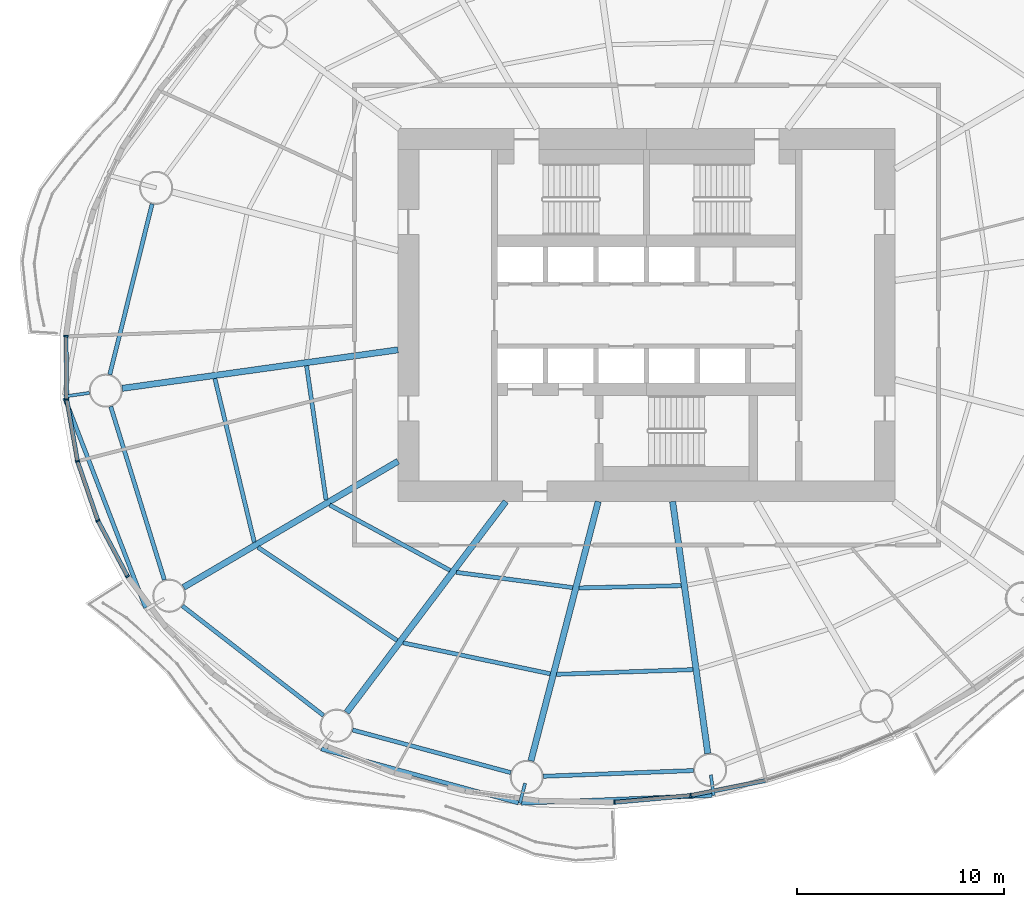
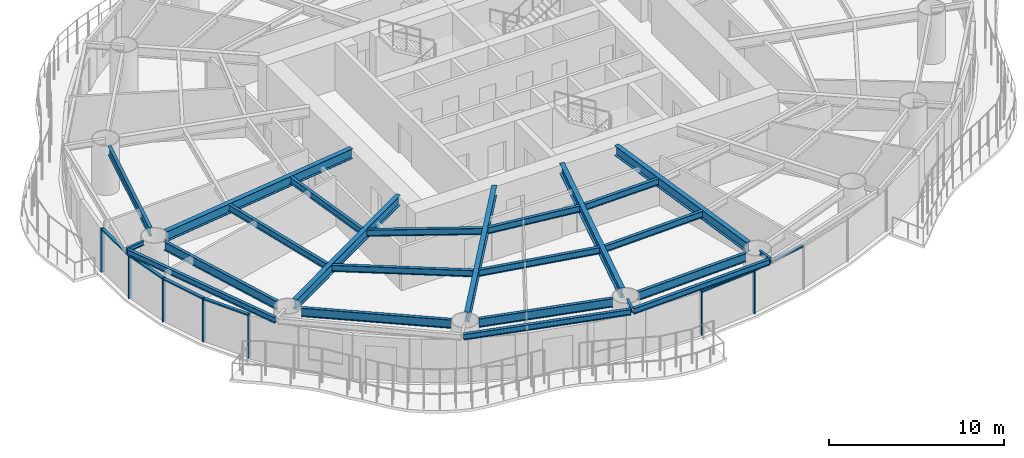
# One storey, part 2 of 17: 24 beams, 13 members, 6 elements without a shape of their own.
"""IFC4 building model written with IfcOpenShell, lengths in metres."""

from ifc_helpers import new_model, si_unit, direction, frame, origin, origin_2d, place, context, subcontext, project, spatial, rectangle, i_section, extrude, material, material_profile, profile_set, type_object, element, aggregate, save


model = new_model("IFC4")

# Units and contexts
model_context = context("Model", 3, precision=1e-05, world=origin(), true_north=direction((0.0, 1.0)))
body_context = subcontext(model_context, "Body", "Model", "MODEL_VIEW")
ifc_project = project(units=[si_unit("LENGTHUNIT", "METRE"), si_unit("AREAUNIT", "SQUARE_METRE"), si_unit("VOLUMEUNIT", "CUBIC_METRE"), si_unit("PLANEANGLEUNIT", "RADIAN"), si_unit("MASSUNIT", "GRAM", prefix="KILO")], contexts=[model_context])

# Site, building, storey
site_placement = place(None, origin())
site = spatial("IfcSite", under=ifc_project, at=site_placement, CompositionType="ELEMENT")
building_placement = place(site_placement, origin())
building = spatial("IfcBuilding", under=site, at=building_placement, Name="Vermilion Reach Broadcast Tower", CompositionType="ELEMENT")
storey_placement = place(building_placement, frame((0.0, 0.0, 92.199951171875)))
storey = spatial("IfcBuildingStorey", under=building, at=storey_placement, Name="L20", CompositionType="ELEMENT", Elevation=92.199951171875)

# Beams
ifc_material_1 = material(Name="Steel S355J2", Category="steel")
ifc_material_profile_1 = material_profile(ifc_material_1, i_section(OverallWidth=0.199951171875, OverallDepth=0.39990234375, WebThickness=0.008056640625, FlangeThickness=0.012939453125, at=origin_2d()), Name="S355J2 HN 400x200x8x13")
ifc_profile_set_1 = profile_set([ifc_material_profile_1], Name="Steel S355J2")
beam_type_1 = type_object("IfcBeamType", Name="EB2 HN 400x200x8x13", PredefinedType="BEAM", material=ifc_profile_set_1)
beam_1_placement = place(storey_placement, frame((-34.091552734375, -3.998779296875, 3.25), z_axis=(0.359604215005, -0.933104929014, 0.0), x_axis=(0.933104929014, 0.359604215005, 0.0)))
element("IfcBeam", 1, at=beam_1_placement, inside=storey, type_object=beam_type_1, Name="Edge beam EB2-08", PredefinedType="BEAM", context=body_context, shape_type="SweptSolid", body=[
    extrude(i_section(OverallWidth=0.199951171875, OverallDepth=0.39990234375, WebThickness=0.008056640625, FlangeThickness=0.012939453125, at=origin_2d()), origin(), (0.0, 0.0, 1.0), 10.859130859375),
])
beam_2_placement = place(storey_placement, frame((-21.71240234375, -20.937744140625, 3.25), z_axis=(0.964459063659, -0.264232311662, 0.0), x_axis=(0.264232311662, 0.964459063659, 0.0)))
element("IfcBeam", 2, at=beam_2_placement, inside=storey, type_object=beam_type_1, Name="Edge beam EB2-10", PredefinedType="BEAM", context=body_context, shape_type="SweptSolid", body=[
    extrude(i_section(OverallWidth=0.199951171875, OverallDepth=0.39990234375, WebThickness=0.008056640625, FlangeThickness=0.012939453125, at=origin_2d()), origin(), (0.0, 0.0, 1.0), 9.874267578125),
])
beam_3_placement = place(storey_placement, frame((-12.038330078125, -23.5634765625, 3.25), z_axis=(0.999162863733, 0.040909311117, 0.0), x_axis=(-0.040909311117, 0.999162863733, 0.0)))
element("IfcBeam", 3, at=beam_3_placement, inside=storey, type_object=beam_type_1, Name="Edge beam EB2-11", PredefinedType="BEAM", context=body_context, shape_type="SweptSolid", body=[
    extrude(i_section(OverallWidth=0.199951171875, OverallDepth=0.39990234375, WebThickness=0.008056640625, FlangeThickness=0.012939453125, at=origin_2d()), origin(), (0.0, 0.0, 1.0), 9.20849609375),
])
ifc_material_2 = material(Name="Steel S355J2", Category="steel")
ifc_material_profile_2 = material_profile(ifc_material_2, i_section(OverallWidth=0.300048828125, OverallDepth=0.699951171875, WebThickness=0.012939453125, FlangeThickness=0.02392578125, at=origin_2d()), Name="S355J2 HN 700x300x13x24")
ifc_profile_set_2 = profile_set([ifc_material_profile_2], Name="Steel S355J2")
beam_type_2 = type_object("IfcBeamType", Name="G2 HN 700x300x13x24", PredefinedType="BEAM", material=ifc_profile_set_2)
beam_4_placement = place(storey_placement, frame((-18.0, -1.67578125, 3.10009765625), z_axis=(-0.990389457618, -0.138306623986, 0.0), x_axis=(0.138306623986, -0.990389457618, 0.0)))
element("IfcBeam", 4, at=beam_4_placement, inside=storey, type_object=beam_type_2, Name="Girder G2-08", PredefinedType="BEAM", context=body_context, shape_type="SweptSolid", body=[
    extrude(i_section(OverallWidth=0.300048828125, OverallDepth=0.699951171875, WebThickness=0.012939453125, FlangeThickness=0.02392578125, at=origin_2d()), origin(), (0.0, 0.0, 1.0), 13.445556640625),
])
beam_5_placement = place(storey_placement, frame((-18.0, -7.054443359375, 3.10009765625), z_axis=(-0.862071616631, -0.506786471603, 0.0), x_axis=(0.506786471603, -0.862071616631, 0.0)))
element("IfcBeam", 5, at=beam_5_placement, inside=storey, type_object=beam_type_2, Name="Girder G2-09", PredefinedType="BEAM", context=body_context, shape_type="SweptSolid", body=[
    extrude(i_section(OverallWidth=0.300048828125, OverallDepth=0.699951171875, WebThickness=0.012939453125, FlangeThickness=0.02392578125, at=origin_2d()), origin(), (0.0, 0.0, 1.0), 12.01025390625),
])
beam_6_placement = place(storey_placement, frame((-12.794189453125, -9.0, 3.10009765625), z_axis=(-0.602519842365, -0.798103902733, 0.0), x_axis=(0.798103902733, -0.602519842365, 0.0)))
element("IfcBeam", 6, at=beam_6_placement, inside=storey, type_object=beam_type_2, Name="Girder G2-10", PredefinedType="BEAM", context=body_context, shape_type="SweptSolid", body=[
    extrude(i_section(OverallWidth=0.300048828125, OverallDepth=0.699951171875, WebThickness=0.012939453125, FlangeThickness=0.02392578125, at=origin_2d()), origin(), (0.0, 0.0, 1.0), 12.758544921875),
])
beam_7_placement = place(storey_placement, frame((-8.3359375, -9.0, 3.10009765625), z_axis=(-0.25121695316, -0.967930804575, 0.0), x_axis=(0.967930804575, -0.25121695316, 0.0)))
element("IfcBeam", 7, at=beam_7_placement, inside=storey, type_object=beam_type_2, Name="Girder G2-11", PredefinedType="BEAM", context=body_context, shape_type="SweptSolid", body=[
    extrude(i_section(OverallWidth=0.300048828125, OverallDepth=0.699951171875, WebThickness=0.012939453125, FlangeThickness=0.02392578125, at=origin_2d()), origin(), (0.0, 0.0, 1.0), 12.93505859375),
])
beam_8_placement = place(storey_placement, frame((-4.7431640625, -9.0, 3.10009765625), z_axis=(0.138317561234, -0.990387930184, 0.0), x_axis=(0.990387930184, 0.138317561234, 0.0)))
element("IfcBeam", 8, at=beam_8_placement, inside=storey, type_object=beam_type_2, Name="Girder G2-12", PredefinedType="BEAM", context=body_context, shape_type="SweptSolid", body=[
    extrude(i_section(OverallWidth=0.300048828125, OverallDepth=0.699951171875, WebThickness=0.012939453125, FlangeThickness=0.02392578125, at=origin_2d()), origin(), (0.0, 0.0, 1.0), 12.281494140625),
])
ifc_material_3 = material(Name="Steel S355J2", Category="steel")
ifc_material_profile_3 = material_profile(ifc_material_3, i_section(OverallWidth=0.14990234375, OverallDepth=0.300048828125, WebThickness=0.006591796875, FlangeThickness=0.009033203125, at=origin_2d()), Name="S355J2 HN 300x150x6.5x9")
ifc_profile_set_3 = profile_set([ifc_material_profile_3], Name="Steel S355J2")
beam_type_3 = type_object("IfcBeamType", Name="GS2 HN 300x150x6.5x9", PredefinedType="BEAM", material=ifc_profile_set_3)
beam_9_placement = place(storey_placement, frame((-32.901123046875, -3.7568359375, 3.300048828125), z_axis=(-0.990385301248, -0.138336383761, 0.0), x_axis=(0.138336383761, -0.990385301248, 0.0)))
element("IfcBeam", 9, at=beam_9_placement, inside=storey, type_object=beam_type_3, Name="Cantilever stub GS2-08", PredefinedType="BEAM", context=body_context, shape_type="SweptSolid", body=[
    extrude(i_section(OverallWidth=0.14990234375, OverallDepth=0.300048828125, WebThickness=0.006591796875, FlangeThickness=0.009033203125, at=origin_2d()), origin(), (0.0, 0.0, 1.0), 1.22998046875),
])
beam_10_placement = place(storey_placement, frame((-11.865478515625, -22.598876953125, 3.300048828125), z_axis=(-0.251258738033, -0.967919958758, 0.0), x_axis=(0.967919958758, -0.251258738033, 0.0)))
element("IfcBeam", 10, at=beam_10_placement, inside=storey, type_object=beam_type_3, Name="Cantilever stub GS2-11", PredefinedType="BEAM", context=body_context, shape_type="SweptSolid", body=[
    extrude(i_section(OverallWidth=0.14990234375, OverallDepth=0.300048828125, WebThickness=0.006591796875, FlangeThickness=0.009033203125, at=origin_2d()), origin(), (0.0, 0.0, 1.0), 0.999755859375),
])
beam_11_placement = place(storey_placement, frame((-2.900634765625, -22.193115234375, 3.300048828125), z_axis=(0.13817375644, -0.990408003315, 0.0), x_axis=(0.990408003315, 0.13817375644, 0.0)))
element("IfcBeam", 11, at=beam_11_placement, inside=storey, type_object=beam_type_3, Name="Cantilever stub GS2-12", PredefinedType="BEAM", context=body_context, shape_type="SweptSolid", body=[
    extrude(i_section(OverallWidth=0.14990234375, OverallDepth=0.300048828125, WebThickness=0.006591796875, FlangeThickness=0.009033203125, at=origin_2d()), origin(), (0.0, 0.0, 1.0), 1.0),
])
ifc_material_4 = material(Name="Steel S355J2", Category="steel")
ifc_material_profile_4 = material_profile(ifc_material_4, i_section(OverallWidth=0.199951171875, OverallDepth=0.60009765625, WebThickness=0.010986328125, FlangeThickness=0.01708984375, at=origin_2d()), Name="S355J2 HN 600x200x11x17")
ifc_profile_set_4 = profile_set([ifc_material_profile_4], Name="Steel S355J2")
beam_type_4 = type_object("IfcBeamType", Name="RB2 HN 600x200x11x17", PredefinedType="BEAM", material=ifc_profile_set_4)
beam_12_placement = place(storey_placement, frame((-29.871337890625, 5.369384765625, 3.150146484375), z_axis=(-0.240863809798, -0.970558924089, 0.0), x_axis=(0.970558924089, -0.240863809798, 0.0)))
element("IfcBeam", 12, at=beam_12_placement, inside=storey, type_object=beam_type_4, Name="Ring beam RB2-07", PredefinedType="BEAM", context=body_context, shape_type="SweptSolid", body=[
    extrude(i_section(OverallWidth=0.199951171875, OverallDepth=0.60009765625, WebThickness=0.010986328125, FlangeThickness=0.01708984375, at=origin_2d()), origin(), (0.0, 0.0, 1.0), 8.489013671875),
])
beam_13_placement = place(storey_placement, frame((-31.872314453125, -4.410400390625, 3.150146484375), z_axis=(0.295788439635, -0.95525347368, 0.0), x_axis=(0.95525347368, 0.295788439635, 0.0)))
element("IfcBeam", 13, at=beam_13_placement, inside=storey, type_object=beam_type_4, Name="Ring beam RB2-08", PredefinedType="BEAM", context=body_context, shape_type="SweptSolid", body=[
    extrude(i_section(OverallWidth=0.199951171875, OverallDepth=0.60009765625, WebThickness=0.010986328125, FlangeThickness=0.01708984375, at=origin_2d()), origin(), (0.0, 0.0, 1.0), 8.763916015625),
])
beam_14_placement = place(storey_placement, frame((-28.41162109375, -14.037109375, 3.150146484375), z_axis=(0.789825712432, -0.613331349257, 0.0), x_axis=(0.613331349257, 0.789825712432, 0.0)))
element("IfcBeam", 14, at=beam_14_placement, inside=storey, type_object=beam_type_4, Name="Ring beam RB2-09", PredefinedType="BEAM", context=body_context, shape_type="SweptSolid", body=[
    extrude(i_section(OverallWidth=0.199951171875, OverallDepth=0.60009765625, WebThickness=0.010986328125, FlangeThickness=0.01708984375, at=origin_2d()), origin(), (0.0, 0.0, 1.0), 8.63037109375),
])
beam_15_placement = place(storey_placement, frame((-20.19091796875, -20.029296875, 3.150146484375), z_axis=(0.965541463834, -0.260249268234, 0.0), x_axis=(0.260249268234, 0.965541463834, 0.0)))
element("IfcBeam", 15, at=beam_15_placement, inside=storey, type_object=beam_type_4, Name="Ring beam RB2-10", PredefinedType="BEAM", context=body_context, shape_type="SweptSolid", body=[
    extrude(i_section(OverallWidth=0.199951171875, OverallDepth=0.60009765625, WebThickness=0.010986328125, FlangeThickness=0.01708984375, at=origin_2d()), origin(), (0.0, 0.0, 1.0), 7.904541015625),
])
beam_16_placement = place(storey_placement, frame((-10.987060546875, -22.263916015625, 3.150146484375), z_axis=(0.999268558327, 0.038240663418, 0.0), x_axis=(-0.038240663418, 0.999268558327, 0.0)))
element("IfcBeam", 16, at=beam_16_placement, inside=storey, type_object=beam_type_4, Name="Ring beam RB2-11", PredefinedType="BEAM", context=body_context, shape_type="SweptSolid", body=[
    extrude(i_section(OverallWidth=0.199951171875, OverallDepth=0.60009765625, WebThickness=0.010986328125, FlangeThickness=0.01708984375, at=origin_2d()), origin(), (0.0, 0.0, 1.0), 7.259033203125),
])
ifc_material_5 = material(Name="Steel S355J2", Category="steel")
ifc_material_profile_5 = material_profile(ifc_material_5, i_section(OverallWidth=0.199951171875, OverallDepth=0.449951171875, WebThickness=0.009033203125, FlangeThickness=0.013916015625, at=origin_2d()), Name="S355J2 HN 450x200x9x14")
ifc_profile_set_5 = profile_set([ifc_material_profile_5], Name="Steel S355J2")
beam_type_5 = type_object("IfcBeamType", Name="SB2 HN 450x200x9x14", PredefinedType="BEAM", material=ifc_profile_set_5)
beam_17_placement = place(storey_placement, frame((-22.417236328125, -2.444091796875, 3.22509765625), z_axis=(0.143973706518, -0.989581513485, 0.0), x_axis=(0.989581513485, 0.143973706518, 0.0)))
element("IfcBeam", 17, at=beam_17_placement, inside=storey, type_object=beam_type_5, Name="Secondary beam SB2-08-1", PredefinedType="BEAM", context=body_context, shape_type="SweptSolid", body=[
    extrude(i_section(OverallWidth=0.199951171875, OverallDepth=0.449951171875, WebThickness=0.009033203125, FlangeThickness=0.013916015625, at=origin_2d()), origin(), (0.0, 0.0, 1.0), 6.547119140625),
])
beam_18_placement = place(storey_placement, frame((-26.84228515625, -3.06201171875, 3.22509765625), z_axis=(0.234260568382, -0.972173845617, 0.0), x_axis=(0.972173845617, 0.234260568382, 0.0)))
element("IfcBeam", 18, at=beam_18_placement, inside=storey, type_object=beam_type_5, Name="Secondary beam SB2-08-2", PredefinedType="BEAM", context=body_context, shape_type="SweptSolid", body=[
    extrude(i_section(OverallWidth=0.199951171875, OverallDepth=0.449951171875, WebThickness=0.009033203125, FlangeThickness=0.013916015625, at=origin_2d()), origin(), (0.0, 0.0, 1.0), 8.123779296875),
])
beam_19_placement = place(storey_placement, frame((-21.29736328125, -9.1669921875, 3.22509765625), z_axis=(0.878713106774, -0.477350265512, 0.0), x_axis=(0.477350265512, 0.878713106774, 0.0)))
element("IfcBeam", 19, at=beam_19_placement, inside=storey, type_object=beam_type_5, Name="Secondary beam SB2-09-1", PredefinedType="BEAM", context=body_context, shape_type="SweptSolid", body=[
    extrude(i_section(OverallWidth=0.199951171875, OverallDepth=0.449951171875, WebThickness=0.009033203125, FlangeThickness=0.013916015625, at=origin_2d()), origin(), (0.0, 0.0, 1.0), 6.60888671875),
])
beam_20_placement = place(storey_placement, frame((-24.76416015625, -11.204833984375, 3.22509765625), z_axis=(0.830915400975, -0.556398774641, 0.0), x_axis=(0.556398774641, 0.830915400975, 0.0)))
element("IfcBeam", 20, at=beam_20_placement, inside=storey, type_object=beam_type_5, Name="Secondary beam SB2-09-2", PredefinedType="BEAM", context=body_context, shape_type="SweptSolid", body=[
    extrude(i_section(OverallWidth=0.199951171875, OverallDepth=0.449951171875, WebThickness=0.009033203125, FlangeThickness=0.013916015625, at=origin_2d()), origin(), (0.0, 0.0, 1.0), 8.087646484375),
])
beam_21_placement = place(storey_placement, frame((-15.185546875, -12.416748046875, 3.22509765625), z_axis=(0.991498686864, -0.130116693573, 0.0), x_axis=(0.130116693573, 0.991498686864, 0.0)))
element("IfcBeam", 21, at=beam_21_placement, inside=storey, type_object=beam_type_5, Name="Secondary beam SB2-10-1", PredefinedType="BEAM", context=body_context, shape_type="SweptSolid", body=[
    extrude(i_section(OverallWidth=0.199951171875, OverallDepth=0.449951171875, WebThickness=0.009033203125, FlangeThickness=0.013916015625, at=origin_2d()), origin(), (0.0, 0.0, 1.0), 5.66455078125),
])
beam_22_placement = place(storey_placement, frame((-17.7568359375, -15.822509765625, 3.22509765625), z_axis=(0.978631382549, -0.205622511148, 0.0), x_axis=(0.205622511148, 0.978631382549, 0.0)))
element("IfcBeam", 22, at=beam_22_placement, inside=storey, type_object=beam_type_5, Name="Secondary beam SB2-10-2", PredefinedType="BEAM", context=body_context, shape_type="SweptSolid", body=[
    extrude(i_section(OverallWidth=0.199951171875, OverallDepth=0.449951171875, WebThickness=0.009033203125, FlangeThickness=0.013916015625, at=origin_2d()), origin(), (0.0, 0.0, 1.0), 7.262939453125),
])
beam_23_placement = place(storey_placement, frame((-9.26318359375, -13.169921875, 3.22509765625), z_axis=(0.999742320425, 0.022700060602, 0.0), x_axis=(-0.022700060602, 0.999742320425, 0.0)))
element("IfcBeam", 23, at=beam_23_placement, inside=storey, type_object=beam_type_5, Name="Secondary beam SB2-11-1", PredefinedType="BEAM", context=body_context, shape_type="SweptSolid", body=[
    extrude(i_section(OverallWidth=0.199951171875, OverallDepth=0.449951171875, WebThickness=0.009033203125, FlangeThickness=0.013916015625, at=origin_2d()), origin(), (0.0, 0.0, 1.0), 4.9365234375),
])
beam_24_placement = place(storey_placement, frame((-10.345947265625, -17.34130859375, 3.22509765625), z_axis=(0.999404722387, 0.03449928797, 0.0), x_axis=(-0.03449928797, 0.999404722387, 0.0)))
element("IfcBeam", 24, at=beam_24_placement, inside=storey, type_object=beam_type_5, Name="Secondary beam SB2-11-2", PredefinedType="BEAM", context=body_context, shape_type="SweptSolid", body=[
    extrude(i_section(OverallWidth=0.199951171875, OverallDepth=0.449951171875, WebThickness=0.009033203125, FlangeThickness=0.013916015625, at=origin_2d()), origin(), (0.0, 0.0, 1.0), 6.58837890625),
])

# Curtain wall, member
ifc_material_6 = material(Name="Low-e laminated clear glass in aluminium frame", Category="aluminium")
curtain_wall_type = type_object("IfcCurtainWallType", Name="Slot curtain wall", PredefinedType="NOTDEFINED", material=ifc_material_6)
placement = place(storey_placement, origin())
curtain_wall_1 = element("IfcCurtainWall", 25, at=placement, inside=storey, type_object=curtain_wall_type, Name="Slot curtain wall L20 22", PredefinedType="NOTDEFINED")
ifc_material_7 = material(Name="Anodised aluminium", Category="aluminium")
ifc_material_profile_6 = material_profile(ifc_material_7, rectangle(XDim=0.199951171875, YDim=0.080078125, at=origin_2d()), Name="Slot mullion 80 x 200")
ifc_profile_set_6 = profile_set([ifc_material_profile_6], Name="Anodised aluminium")
member_type_1 = type_object("IfcMemberType", Name="Slot mullion 80 x 200", PredefinedType="MULLION", material=ifc_profile_set_6)
member_1_placement = place(storey_placement, frame((-34.03173828125, -1.0166015625, 0.0), z_axis=(0.0, 0.0, 1.0), x_axis=(0.997945433899, -0.064069579058, 0.0)))
member_1 = element("IfcMember", 26, at=member_1_placement, type_object=member_type_1, Name="Slot mullion L20 22", PredefinedType="MULLION", context=body_context, shape_type="SweptSolid", body=[
    extrude(rectangle(XDim=0.199951171875, YDim=0.080078125, at=origin_2d()), origin(), (0.0, 0.0, 1.0), 3.050048828125),
])

curtain_wall_2 = element("IfcCurtainWall", 27, at=placement, inside=storey, type_object=curtain_wall_type, Name="Slot curtain wall L20 23", PredefinedType="NOTDEFINED")
member_2_placement = place(storey_placement, frame((-33.991455078125, -4.070556640625, 0.0), z_axis=(0.0, 0.0, 1.0), x_axis=(0.995739003872, 0.092216246764, 0.0)))
member_2 = element("IfcMember", 28, at=member_2_placement, type_object=member_type_1, Name="Slot mullion L20 23", PredefinedType="MULLION", context=body_context, shape_type="SweptSolid", body=[
    extrude(rectangle(XDim=0.199951171875, YDim=0.080078125, at=origin_2d()), origin(), (0.0, 0.0, 1.0), 3.050048828125),
])

curtain_wall_3 = element("IfcCurtainWall", 29, at=placement, inside=storey, type_object=curtain_wall_type, Name="Slot curtain wall L20 24", PredefinedType="NOTDEFINED")
member_3_placement = place(storey_placement, frame((-33.474609375, -7.05419921875, 0.0), z_axis=(0.0, 0.0, 1.0), x_axis=(0.968583159106, 0.248689895043, 0.0)))
member_3 = element("IfcMember", 30, at=member_3_placement, type_object=member_type_1, Name="Slot mullion L20 24", PredefinedType="MULLION", context=body_context, shape_type="SweptSolid", body=[
    extrude(rectangle(XDim=0.199951171875, YDim=0.080078125, at=origin_2d()), origin(), (0.0, 0.0, 1.0), 3.050048828125),
])

# Curtain wall, members
curtain_wall_4 = element("IfcCurtainWall", 31, at=placement, inside=storey, type_object=curtain_wall_type, Name="Slot curtain wall L20 25", PredefinedType="NOTDEFINED")
member_4_placement = place(storey_placement, frame((-32.489990234375, -9.91796875, 0.0), z_axis=(0.0, 0.0, 1.0), x_axis=(0.916998224506, 0.398891283751, 0.0)))
member_4 = element("IfcMember", 32, at=member_4_placement, type_object=member_type_1, Name="Slot mullion L20 25", PredefinedType="MULLION", context=body_context, shape_type="SweptSolid", body=[
    extrude(rectangle(XDim=0.199951171875, YDim=0.080078125, at=origin_2d()), origin(), (0.0, 0.0, 1.0), 3.050048828125),
])
member_5_placement = place(storey_placement, frame((-31.05419921875, -12.61328125, 0.0), z_axis=(0.0, 0.0, 1.0), x_axis=(0.843640508692, 0.536908457835, 0.0)))
member_5 = element("IfcMember", 33, at=member_5_placement, type_object=member_type_1, Name="Slot mullion L20 26", PredefinedType="MULLION", context=body_context, shape_type="SweptSolid", body=[
    extrude(rectangle(XDim=0.199951171875, YDim=0.080078125, at=origin_2d()), origin(), (0.0, 0.0, 1.0), 3.050048828125),
])

# Curtain wall, member
curtain_wall_5 = element("IfcCurtainWall", 34, at=placement, inside=storey, type_object=curtain_wall_type, Name="Slot curtain wall L20 34", PredefinedType="NOTDEFINED")
member_6_placement = place(storey_placement, frame((-7.553955078125, -23.52197265625, 0.0), z_axis=(0.0, 0.0, 1.0), x_axis=(-0.034882095707, 0.999391434524, 0.0)))
member_6 = element("IfcMember", 35, at=member_6_placement, type_object=member_type_1, Name="Slot mullion L20 34", PredefinedType="MULLION", context=body_context, shape_type="SweptSolid", body=[
    extrude(rectangle(XDim=0.199951171875, YDim=0.080078125, at=origin_2d()), origin(), (0.0, 0.0, 1.0), 3.050048828125),
])

curtain_wall_6 = element("IfcCurtainWall", 36, at=placement, inside=storey, type_object=curtain_wall_type, Name="Slot curtain wall L20 35", PredefinedType="NOTDEFINED")
member_7_placement = place(storey_placement, frame((-3.875244140625, -23.19091796875, 0.0), z_axis=(0.0, 0.0, 1.0), x_axis=(-0.143217342425, 0.989691261368, 0.0)))
member_7 = element("IfcMember", 37, at=member_7_placement, type_object=member_type_1, Name="Slot mullion L20 35", PredefinedType="MULLION", context=body_context, shape_type="SweptSolid", body=[
    extrude(rectangle(XDim=0.199951171875, YDim=0.080078125, at=origin_2d()), origin(), (0.0, 0.0, 1.0), 3.050048828125),
])

# Member
ifc_material_8 = material(Name="Anodised aluminium", Category="aluminium")
ifc_material_profile_7 = material_profile(ifc_material_8, rectangle(XDim=0.199951171875, YDim=0.10009765625, at=origin_2d()), Name="Slot transom 200 x 100")
ifc_profile_set_7 = profile_set([ifc_material_profile_7], Name="Anodised aluminium")
member_type_2 = type_object("IfcMemberType", Name="Slot transom 200 x 100", PredefinedType="USERDEFINED", material=ifc_profile_set_7)
member_8_placement = place(storey_placement, frame((-34.031005859375, -1.056640625, 3.0), z_axis=(0.013134077587, -0.999913744283, 0.0), x_axis=(0.999913744283, 0.013134077587, 0.0)))
member_8 = element("IfcMember", 38, at=member_8_placement, type_object=member_type_2, Name="Slot transom L20 22.1", ObjectType="TRANSOM", PredefinedType="USERDEFINED", context=body_context, shape_type="SweptSolid", body=[
    extrude(rectangle(XDim=0.199951171875, YDim=0.10009765625, at=origin_2d()), origin(), (0.0, 0.0, 1.0), 2.97412109375),
])

aggregate(curtain_wall_1, [member_1, member_8])

member_9_placement = place(storey_placement, frame((-33.984619140625, -4.110107421875, 3.0), z_axis=(0.170680595976, -0.985326409956, 0.0), x_axis=(0.985326409956, 0.170680595976, 0.0)))
member_9 = element("IfcMember", 39, at=member_9_placement, type_object=member_type_2, Name="Slot transom L20 23.1", ObjectType="TRANSOM", PredefinedType="USERDEFINED", context=body_context, shape_type="SweptSolid", body=[
    extrude(rectangle(XDim=0.199951171875, YDim=0.10009765625, at=origin_2d()), origin(), (0.0, 0.0, 1.0), 2.947998046875),
])

aggregate(curtain_wall_2, [member_2, member_9])

member_10_placement = place(storey_placement, frame((-33.461669921875, -7.092041015625, 3.0), z_axis=(0.325181593456, -0.94565159085, 0.0), x_axis=(0.94565159085, 0.325181593456, 0.0)))
member_10 = element("IfcMember", 40, at=member_10_placement, type_object=member_type_2, Name="Slot transom L20 24.1", ObjectType="TRANSOM", PredefinedType="USERDEFINED", context=body_context, shape_type="SweptSolid", body=[
    extrude(rectangle(XDim=0.199951171875, YDim=0.10009765625, at=origin_2d()), origin(), (0.0, 0.0, 1.0), 2.9482421875),
])

aggregate(curtain_wall_3, [member_3, member_10])

member_11_placement = place(storey_placement, frame((-32.47119140625, -9.953125, 3.0), z_axis=(0.470115241315, -0.882605041841, 0.0), x_axis=(0.882605041841, 0.470115241315, 0.0)))
member_11 = element("IfcMember", 41, at=member_11_placement, type_object=member_type_2, Name="Slot transom L20 25.1", ObjectType="TRANSOM", PredefinedType="USERDEFINED", context=body_context, shape_type="SweptSolid", body=[
    extrude(rectangle(XDim=0.199951171875, YDim=0.10009765625, at=origin_2d()), origin(), (0.0, 0.0, 1.0), 2.97412109375),
])

aggregate(curtain_wall_4, [member_4, member_5, member_11])

member_12_placement = place(storey_placement, frame((-7.51416015625, -23.518310546875, 3.0), z_axis=(0.995978599856, 0.089591454, 0.0), x_axis=(-0.089591454, 0.995978599856, 0.0)))
member_12 = element("IfcMember", 42, at=member_12_placement, type_object=member_type_2, Name="Slot transom L20 34.1", ObjectType="TRANSOM", PredefinedType="USERDEFINED", context=body_context, shape_type="SweptSolid", body=[
    extrude(rectangle(XDim=0.199951171875, YDim=0.10009765625, at=origin_2d()), origin(), (0.0, 0.0, 1.0), 3.613525390625),
])

aggregate(curtain_wall_5, [member_6, member_12])

member_13_placement = place(storey_placement, frame((-3.836181640625, -23.18310546875, 3.0), z_axis=(0.980523799743, 0.196400300757, 0.0), x_axis=(-0.196400300757, 0.980523799743, 0.0)))
member_13 = element("IfcMember", 43, at=member_13_placement, type_object=member_type_2, Name="Slot transom L20 35.1", ObjectType="TRANSOM", PredefinedType="USERDEFINED", context=body_context, shape_type="SweptSolid", body=[
    extrude(rectangle(XDim=0.199951171875, YDim=0.10009765625, at=origin_2d()), origin(), (0.0, 0.0, 1.0), 3.634765625),
])

aggregate(curtain_wall_6, [member_7, member_13])

save(model, "model.ifc")
